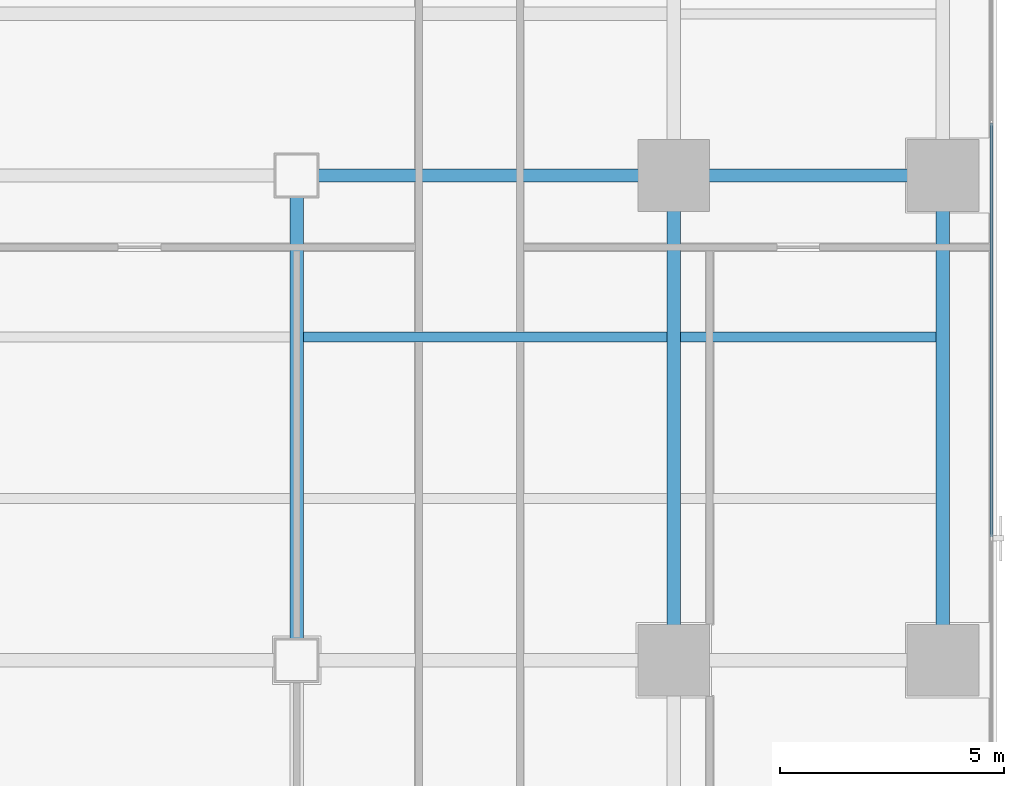
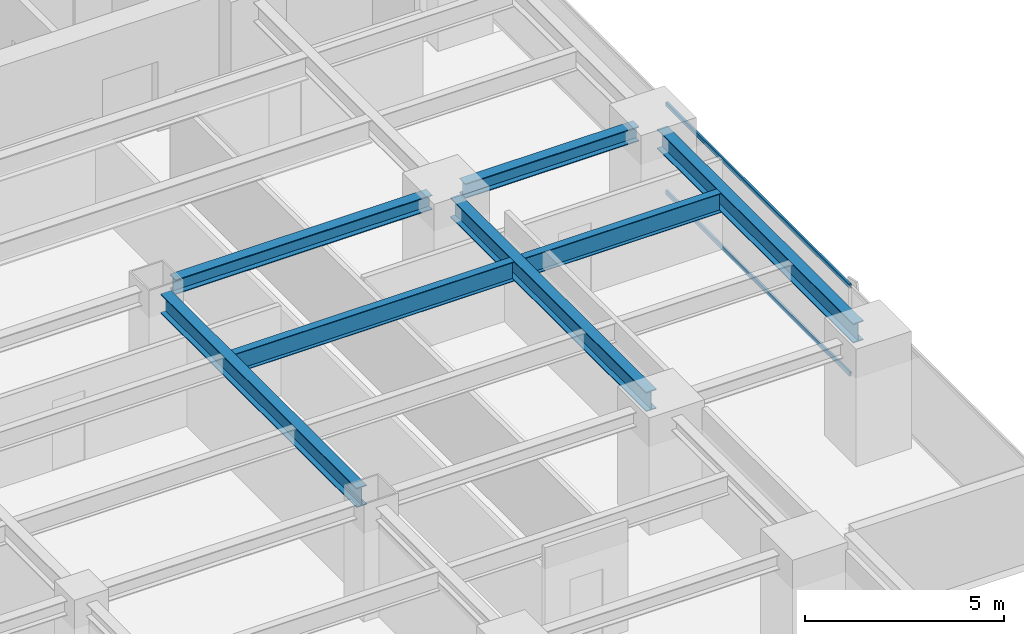
# One storey, part 12 of 28: 7 beams, 2 members, 1 element without a shape of its own.
"""IFC4 building model written with IfcOpenShell, lengths in metres."""

from ifc_helpers import new_model, si_unit, direction, frame, origin, origin_2d, place, context, subcontext, project, spatial, hollow_rectangle, i_section, extrude, source, transform, mapped, material, layer, layer_set, material_profile, profile_set, type_object, element, aggregate, save


model = new_model("IFC4")

# Units and contexts
model_context = context("Model", 3, precision=1e-05, world=origin(), true_north=direction((0.0, 1.0)))
body_context = subcontext(model_context, "Body", "Model", "MODEL_VIEW")
ifc_project = project(units=[si_unit("LENGTHUNIT", "METRE"), si_unit("AREAUNIT", "SQUARE_METRE"), si_unit("VOLUMEUNIT", "CUBIC_METRE"), si_unit("PLANEANGLEUNIT", "RADIAN"), si_unit("MASSUNIT", "GRAM", prefix="KILO")], contexts=[model_context])

# Site, building, storey
site_placement = place(None, origin())
site = spatial("IfcSite", under=ifc_project, at=site_placement, CompositionType="ELEMENT")
building_placement = place(site_placement, origin())
building = spatial("IfcBuilding", under=site, at=building_placement, Name="Sumidabori Civic Tower", CompositionType="ELEMENT")
storey_placement = place(building_placement, frame((0.0, 0.0, 153.199951171875)))
storey = spatial("IfcBuildingStorey", under=building, at=storey_placement, Name="L39", CompositionType="ELEMENT", Elevation=153.199951171875)

# Beams
ifc_material_1 = material(Name="Steel SN490", Category="steel")
ifc_material_profile_1 = material_profile(ifc_material_1, i_section(OverallWidth=0.300048828125, OverallDepth=0.60009765625, WebThickness=0.015380859375, FlangeThickness=0.030029296875, at=origin_2d()), Name="HE 600 B")
ifc_profile_set_1 = profile_set([ifc_material_profile_1], Name="Steel SN490")
beam_type_1 = type_object("IfcBeamType", Name="BM-GIRD-600", PredefinedType="BEAM", material=ifc_profile_set_1)
shared_shape_1 = source(origin(), body_context, "Body", "SweptSolid", [
    extrude(i_section(OverallWidth=0.300048828125, OverallDepth=0.60009765625, WebThickness=0.015380859375, FlangeThickness=0.030029296875, at=origin_2d()), origin(), (0.0, 0.0, 1.0), 9.840087890625),
])
for number, where, z_axis, x_axis, name in (
    (1, (8.39990234375, -10.320068359375, 3.080078125), (0.0, 1.0, 0.0), (-1.0, 0.0, 0.0), "Primary Girder L39 GY-31"),
    (2, (16.800048828125, -10.320068359375, 3.080078125), (0.0, 1.0, 0.0), (-1.0, 0.0, 0.0), "Primary Girder L39 GY-33"),
    (3, (22.800048828125, -10.320068359375, 3.080078125), (0.0, 1.0, 0.0), (-1.0, 0.0, 0.0), "Primary Girder L39 GY-36"),
):
    element("IfcBeam", number, at=place(storey_placement, frame(where, z_axis=z_axis, x_axis=x_axis)), inside=storey, type_object=beam_type_1, Name=name, PredefinedType="BEAM", context=body_context, shape_type="MappedRepresentation", body=[
        mapped(shared_shape_1, transform((0.0, 0.0, 0.0), x_axis=(1.0, 0.0, 0.0), y_axis=(0.0, 1.0, 0.0), z_axis=(0.0, 0.0, 1.0), scale=1.0)),
    ])
ifc_material_profile_2 = material_profile(ifc_material_1, i_section(OverallWidth=0.219970703125, OverallDepth=0.60009765625, WebThickness=0.011962890625, FlangeThickness=0.01904296875, at=origin_2d()), Name="IPE 600")
ifc_profile_set_2 = profile_set([ifc_material_profile_2], Name="Steel SN490")
beam_type_2 = type_object("IfcBeamType", Name="BM-JST-600", PredefinedType="JOIST", material=ifc_profile_set_2)
shared_shape_2 = source(origin(), body_context, "Body", "SweptSolid", [
    extrude(i_section(OverallWidth=0.219970703125, OverallDepth=0.60009765625, WebThickness=0.011962890625, FlangeThickness=0.01904296875, at=origin_2d()), origin(), (0.0, 0.0, 1.0), 5.699951171875),
])
beam_1_placement = place(storey_placement, frame((16.949951171875, -3.60009765625, 3.080078125), z_axis=(1.0, 0.0, 0.0), x_axis=(0.0, 1.0, 0.0)))
element("IfcBeam", 4, at=beam_1_placement, inside=storey, type_object=beam_type_2, Name="Outer Bay Floor Joist L39 JSTO-42", PredefinedType="JOIST", context=body_context, shape_type="MappedRepresentation", body=[
    mapped(shared_shape_2, transform((0.0, 0.0, 0.0), x_axis=(1.0, 0.0, 0.0), y_axis=(0.0, 1.0, 0.0), z_axis=(0.0, 0.0, 1.0), scale=1.0)),
])
shared_shape_3 = source(origin(), body_context, "Body", "SweptSolid", [
    extrude(i_section(OverallWidth=0.219970703125, OverallDepth=0.60009765625, WebThickness=0.011962890625, FlangeThickness=0.01904296875, at=origin_2d()), origin(), (0.0, 0.0, 1.0), 8.099853515625),
])
beam_2_placement = place(storey_placement, frame((8.550048828125, -3.60009765625, 3.080078125), z_axis=(1.0, 0.0, 0.0), x_axis=(0.0, 1.0, 0.0)))
element("IfcBeam", 5, at=beam_2_placement, inside=storey, type_object=beam_type_2, Name="South Bay Floor Joist L39 JSTS-60", PredefinedType="JOIST", context=body_context, shape_type="MappedRepresentation", body=[
    mapped(shared_shape_3, transform((0.0, 0.0, 0.0), x_axis=(1.0, 0.0, 0.0), y_axis=(0.0, 1.0, 0.0), z_axis=(0.0, 0.0, 1.0), scale=1.0)),
])
ifc_material_profile_3 = material_profile(ifc_material_1, i_section(OverallWidth=0.300048828125, OverallDepth=0.449951171875, WebThickness=0.013916015625, FlangeThickness=0.02587890625, at=origin_2d()), Name="HE 450 B")
ifc_profile_set_3 = profile_set([ifc_material_profile_3], Name="Steel SN490")
beam_type_3 = type_object("IfcBeamType", Name="BM-GIRD-450", PredefinedType="BEAM", material=ifc_profile_set_3)
shared_shape_4 = source(origin(), body_context, "Body", "SweptSolid", [
    extrude(i_section(OverallWidth=0.300048828125, OverallDepth=0.449951171875, WebThickness=0.013916015625, FlangeThickness=0.02587890625, at=origin_2d()), origin(), (0.0, 0.0, 1.0), 7.440185546875),
])
beam_3_placement = place(storey_placement, frame((8.8798828125, 0.0, 3.155029296875), z_axis=(1.0, 0.0, 0.0), x_axis=(0.0, 1.0, 0.0)))
element("IfcBeam", 6, at=beam_3_placement, inside=storey, type_object=beam_type_3, Name="Primary Girder L39 GX-15", PredefinedType="BEAM", context=body_context, shape_type="MappedRepresentation", body=[
    mapped(shared_shape_4, transform((0.0, 0.0, 0.0), x_axis=(1.0, 0.0, 0.0), y_axis=(0.0, 1.0, 0.0), z_axis=(0.0, 0.0, 1.0), scale=1.0)),
])
shared_shape_5 = source(origin(), body_context, "Body", "SweptSolid", [
    extrude(i_section(OverallWidth=0.300048828125, OverallDepth=0.449951171875, WebThickness=0.013916015625, FlangeThickness=0.02587890625, at=origin_2d()), origin(), (0.0, 0.0, 1.0), 5.0400390625),
])
beam_4_placement = place(storey_placement, frame((17.280029296875, 0.0, 3.155029296875), z_axis=(1.0, 0.0, 0.0), x_axis=(0.0, 1.0, 0.0)))
element("IfcBeam", 7, at=beam_4_placement, inside=storey, type_object=beam_type_3, Name="Primary Girder L39 GX-16", PredefinedType="BEAM", context=body_context, shape_type="MappedRepresentation", body=[
    mapped(shared_shape_5, transform((0.0, 0.0, 0.0), x_axis=(1.0, 0.0, 0.0), y_axis=(0.0, 1.0, 0.0), z_axis=(0.0, 0.0, 1.0), scale=1.0)),
])

# Curtain wall, members
ifc_material_2 = material(Name="Anodised Bronze Aluminium AW-6063-T6", Category="aluminium")
ifc_layer = layer(ifc_material_2, 0.179931640625, Name="Anodised Bronze Aluminium AW-6063-T6")
ifc_layer_set = layer_set([ifc_layer], Name="Anodised Bronze Aluminium AW-6063-T6")
curtain_wall_type = type_object("IfcCurtainWallType", Name="CW-SYS-3", PredefinedType="NOTDEFINED", material=ifc_layer_set)
curtain_wall_placement = place(storey_placement, origin())
curtain_wall = element("IfcCurtainWall", 8, at=curtain_wall_placement, inside=storey, type_object=curtain_wall_type, Name="Curtain Wall CW:L39:R04", PredefinedType="NOTDEFINED")
ifc_material_profile_4 = material_profile(ifc_material_2, hollow_rectangle(XDim=0.06005859375, YDim=0.1298828125, WallThickness=0.0048828125, at=origin_2d()), Name="ALU TRANSOM 130x60")
ifc_profile_set_4 = profile_set([ifc_material_profile_4], Name="Anodised Bronze Aluminium AW-6063-T6")
member_type = type_object("IfcMemberType", Name="CW-TRN-130", PredefinedType="USERDEFINED", material=ifc_profile_set_4)
shared_shape_6 = source(origin(), body_context, "Body", "SweptSolid", [
    extrude(hollow_rectangle(XDim=0.06005859375, YDim=0.1298828125, WallThickness=0.0048828125, at=origin_2d()), origin(), (0.0, 0.0, 1.0), 9.219970703125),
])
member_1_placement = place(storey_placement, frame((23.8798828125, -8.052490234375, 0.030029296875), z_axis=(0.0, 1.0, 0.0), x_axis=(-1.0, 0.0, 0.0)))
member_1 = element("IfcMember", 9, at=member_1_placement, type_object=member_type, Name="CW-3 transom 2.1", ObjectType="TRANSOM", PredefinedType="USERDEFINED", context=body_context, shape_type="MappedRepresentation", body=[
    mapped(shared_shape_6, transform((0.0, 0.0, 0.0), x_axis=(1.0, 0.0, 0.0), y_axis=(0.0, 1.0, 0.0), z_axis=(0.0, 0.0, 1.0), scale=1.0)),
])
member_2_placement = place(storey_placement, frame((23.8798828125, -8.052490234375, 2.72998046875), z_axis=(0.0, 1.0, 0.0), x_axis=(-1.0, 0.0, 0.0)))
member_2 = element("IfcMember", 10, at=member_2_placement, type_object=member_type, Name="CW-3 transom 2.2", ObjectType="TRANSOM", PredefinedType="USERDEFINED", context=body_context, shape_type="MappedRepresentation", body=[
    mapped(shared_shape_6, transform((0.0, 0.0, 0.0), x_axis=(1.0, 0.0, 0.0), y_axis=(0.0, 1.0, 0.0), z_axis=(0.0, 0.0, 1.0), scale=1.0)),
])
aggregate(curtain_wall, [member_1, member_2])

save(model, "model.ifc")
